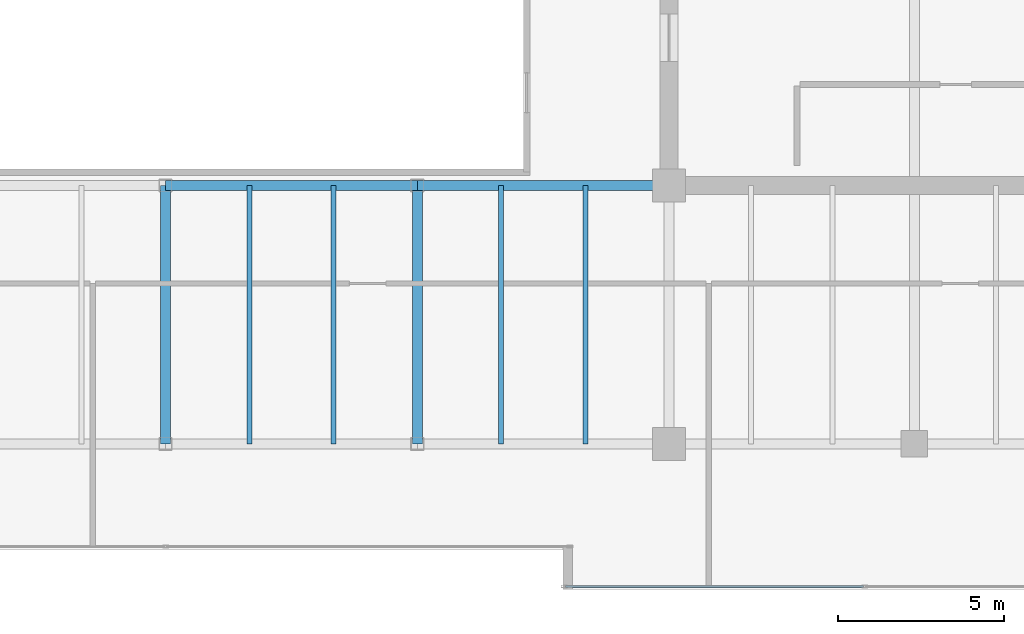
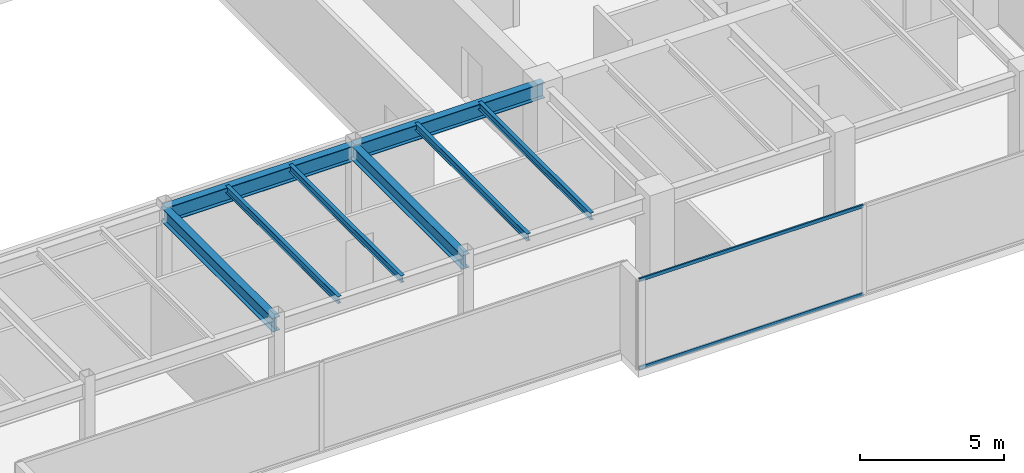
# One storey, part 12 of 33: 8 beams, 2 members, 1 element without a shape of its own.
"""IFC4 building model written with IfcOpenShell, lengths in metres."""

from ifc_helpers import new_model, si_unit, direction, frame, origin, origin_2d, place, context, subcontext, project, spatial, hollow_rectangle, i_section, extrude, source, transform, mapped, material, layer, layer_set, material_profile, profile_set, type_object, type_shapes, element, aggregate, save


model = new_model("IFC4")

# Units and contexts
model_context = context("Model", 3, precision=1e-05, world=origin(), true_north=direction((0.0, 1.0)))
body_context = subcontext(model_context, "Body", "Model", "MODEL_VIEW")
ifc_project = project(units=[si_unit("LENGTHUNIT", "METRE"), si_unit("AREAUNIT", "SQUARE_METRE"), si_unit("VOLUMEUNIT", "CUBIC_METRE"), si_unit("PLANEANGLEUNIT", "RADIAN"), si_unit("MASSUNIT", "GRAM", prefix="KILO")], contexts=[model_context])

# Site, building, storey
site_placement = place(None, origin())
site = spatial("IfcSite", under=ifc_project, at=site_placement, CompositionType="ELEMENT")
building_placement = place(site_placement, origin())
building = spatial("IfcBuilding", under=site, at=building_placement, Name="Haelvirn Gate Laboratories", CompositionType="ELEMENT")
storey_placement = place(building_placement, frame((0.0, 0.0, 213.699951171875)))
storey = spatial("IfcBuildingStorey", under=building, at=storey_placement, Name="L51", CompositionType="ELEMENT", Elevation=213.699951171875)

# Beams
ifc_material_1 = material(Name="Steel SM355", Category="steel")
ifc_material_profile_1 = material_profile(ifc_material_1, i_section(OverallWidth=0.14990234375, OverallDepth=0.300048828125, WebThickness=0.006591796875, FlangeThickness=0.009033203125, at=origin_2d()), Name="H-300x150x6.5x9")
ifc_profile_set_1 = profile_set([ifc_material_profile_1], Name="Steel SM355")
beam_type_1 = type_object("IfcBeamType", Name="BM-J-300", PredefinedType="JOIST", material=ifc_profile_set_1)
shared_shape_1 = source(origin(), body_context, "Body", "SweptSolid", [
    extrude(i_section(OverallWidth=0.14990234375, OverallDepth=0.300048828125, WebThickness=0.006591796875, FlangeThickness=0.009033203125, at=origin_2d()), origin(), (0.0, 0.0, 1.0), 7.800048828125),
])
type_shapes(beam_type_1, [shared_shape_1])
for number, where, z_axis, x_axis, name in (
    (1, (39.929931640625, 7.0, 3.650146484375), (0.0, 1.0, 0.0), (-1.0, 0.0, 0.0), "L51 Composite Lab Joist South X39.93"),
    (2, (42.469970703125, 7.0, 3.650146484375), (0.0, 1.0, 0.0), (-1.0, 0.0, 0.0), "L51 Composite Lab Joist South X42.47"),
    (3, (47.530029296875, 7.0, 3.650146484375), (0.0, 1.0, 0.0), (-1.0, 0.0, 0.0), "L51 Composite Lab Joist South X47.53"),
    (4, (50.070068359375, 7.0, 3.650146484375), (0.0, 1.0, 0.0), (-1.0, 0.0, 0.0), "L51 Composite Lab Joist South X50.07"),
):
    element("IfcBeam", number, at=place(storey_placement, frame(where, z_axis=z_axis, x_axis=x_axis)), inside=storey, type_object=beam_type_1, Name=name, PredefinedType="JOIST", context=body_context, shape_type="MappedRepresentation", body=[
        mapped(shared_shape_1, transform((0.0, 0.0, 0.0), scale=1.0)),
    ])
ifc_material_profile_2 = material_profile(ifc_material_1, i_section(OverallWidth=0.300048828125, OverallDepth=0.587890625, WebThickness=0.011962890625, FlangeThickness=0.02001953125, at=origin_2d()), Name="H-588x300x12x20")
ifc_profile_set_2 = profile_set([ifc_material_profile_2], Name="Steel SM355")
beam_type_2 = type_object("IfcBeamType", Name="BM-G-588", PredefinedType="BEAM", material=ifc_profile_set_2)
shared_shape_2 = source(origin(), body_context, "Body", "SweptSolid", [
    extrude(i_section(OverallWidth=0.300048828125, OverallDepth=0.587890625, WebThickness=0.011962890625, FlangeThickness=0.02001953125, at=origin_2d()), origin(), (0.0, 0.0, 1.0), 7.800048828125),
])
type_shapes(beam_type_2, [shared_shape_2])
for number, where, z_axis, x_axis, name in (
    (5, (37.39990234375, 7.0, 3.506103515625), (0.0, 1.0, 0.0), (-1.0, 0.0, 0.0), "L51 Frame Girder X37.4 (7.0-14.8)"),
    (6, (45.0, 7.0, 3.506103515625), (0.0, 1.0, 0.0), (-1.0, 0.0, 0.0), "L51 Frame Girder X45.0 (7.0-14.8)"),
):
    element("IfcBeam", number, at=place(storey_placement, frame(where, z_axis=z_axis, x_axis=x_axis)), inside=storey, type_object=beam_type_2, Name=name, PredefinedType="BEAM", context=body_context, shape_type="MappedRepresentation", body=[
        mapped(shared_shape_2, transform((0.0, 0.0, 0.0), scale=1.0)),
    ])
ifc_material_profile_3 = material_profile(ifc_material_1, i_section(OverallWidth=0.300048828125, OverallDepth=0.64990234375, WebThickness=0.012939453125, FlangeThickness=0.02197265625, at=origin_2d()), Name="H-650x300x13x22")
ifc_profile_set_3 = profile_set([ifc_material_profile_3], Name="Steel SM355")
beam_type_3 = type_object("IfcBeamType", Name="BM-G-650", PredefinedType="BEAM", material=ifc_profile_set_3)
shared_shape_3 = source(origin(), body_context, "Body", "SweptSolid", [
    extrude(i_section(OverallWidth=0.300048828125, OverallDepth=0.64990234375, WebThickness=0.012939453125, FlangeThickness=0.02197265625, at=origin_2d()), origin(), (0.0, 0.0, 1.0), 7.60009765625),
])
type_shapes(beam_type_3, [shared_shape_3])
for number, where, z_axis, x_axis, name in (
    (7, (37.39990234375, 14.800048828125, 3.47509765625), (1.0, 0.0, 0.0), (0.0, 1.0, 0.0), "L51 Primary Girder Y14.8 (37.4-45.0)"),
    (8, (45.0, 14.800048828125, 3.47509765625), (1.0, 0.0, 0.0), (0.0, 1.0, 0.0), "L51 Primary Girder Y14.8 (45.0-52.6)"),
):
    element("IfcBeam", number, at=place(storey_placement, frame(where, z_axis=z_axis, x_axis=x_axis)), inside=storey, type_object=beam_type_3, Name=name, PredefinedType="BEAM", context=body_context, shape_type="MappedRepresentation", body=[
        mapped(shared_shape_3, transform((0.0, 0.0, 0.0), scale=1.0)),
    ])

# Curtain wall, members
ifc_material_2 = material(Name="Anodised bronze unitised aluminium & triple low-E glass", Category="aluminium")
ifc_layer = layer(ifc_material_2, 0.176025390625, Name="CW-SYS-4")
ifc_layer_set = layer_set([ifc_layer], Name="Anodised bronze unitised aluminium & triple low-E glass")
curtain_wall_type = type_object("IfcCurtainWallType", Name="CW-SYS-4", PredefinedType="NOTDEFINED", material=ifc_layer_set)
curtain_wall_placement = place(storey_placement, origin())
curtain_wall = element("IfcCurtainWall", 9, at=curtain_wall_placement, inside=storey, type_object=curtain_wall_type, Name="L51 Unitised Curtain Wall CW-L51-P0-E04-1", PredefinedType="NOTDEFINED")
ifc_material_3 = material(Name="Extruded aluminium 6063-T6 (anodised bronze)", Category="aluminium")
ifc_material_profile_4 = material_profile(ifc_material_3, hollow_rectangle(XDim=0.06494140625, YDim=0.139892578125, WallThickness=0.00390625, at=origin_2d()), Name="CWT-140x65x4")
ifc_profile_set_4 = profile_set([ifc_material_profile_4], Name="Extruded aluminium 6063-T6 (anodised bronze)")
member_type = type_object("IfcMemberType", Name="CWT-T140", PredefinedType="USERDEFINED", material=ifc_profile_set_4)
shared_shape_4 = source(origin(), body_context, "Body", "SweptSolid", [
    extrude(hollow_rectangle(XDim=0.06494140625, YDim=0.139892578125, WallThickness=0.00390625, at=origin_2d()), origin(), (0.0, 0.0, 1.0), 8.9951171875),
])
type_shapes(member_type, [shared_shape_4])
member_1_placement = place(storey_placement, frame((49.469970703125, 2.699951171875, 0.032470703125), z_axis=(1.0, 0.0, 0.0), x_axis=(0.0, 1.0, 0.0)))
member_1 = element("IfcMember", 10, at=member_1_placement, type_object=member_type, Name="CW4 transom 1.1", ObjectType="TRANSOM", PredefinedType="USERDEFINED", context=body_context, shape_type="MappedRepresentation", body=[
    mapped(shared_shape_4, transform((0.0, 0.0, 0.0), scale=1.0)),
])
member_2_placement = place(storey_placement, frame((49.469970703125, 2.699951171875, 3.767578125), z_axis=(1.0, 0.0, 0.0), x_axis=(0.0, 1.0, 0.0)))
member_2 = element("IfcMember", 11, at=member_2_placement, type_object=member_type, Name="CW4 transom 1.2", ObjectType="TRANSOM", PredefinedType="USERDEFINED", context=body_context, shape_type="MappedRepresentation", body=[
    mapped(shared_shape_4, transform((0.0, 0.0, 0.0), scale=1.0)),
])
aggregate(curtain_wall, [member_1, member_2])

save(model, "model.ifc")
